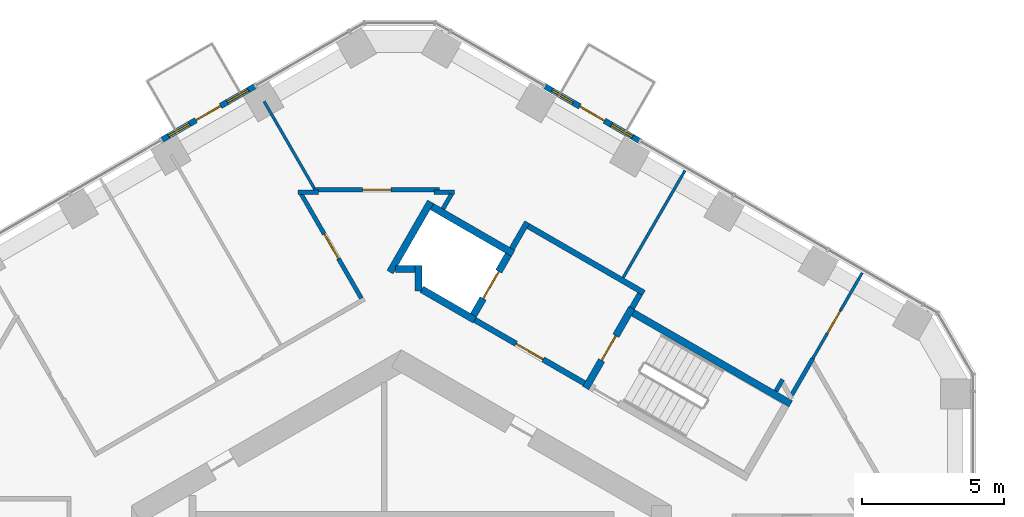
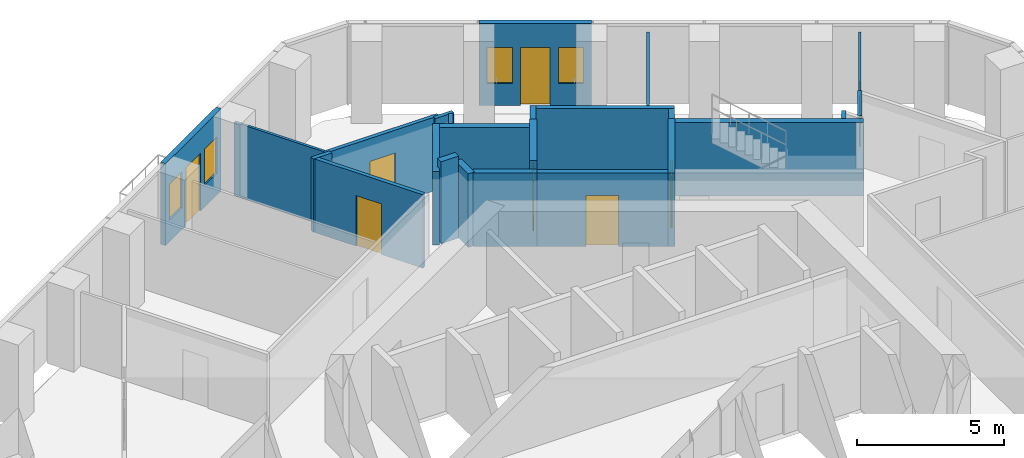
# One storey, part 16 of 20: 24 walls, 8 doors, 4 windows, 12 openings.
"""IFC4 building model written with IfcOpenShell, lengths in metres."""

from ifc_helpers import new_model, si_unit, direction, frame, frame_2d, origin, place, context, subcontext, project, spatial, rectangle, extrude, material, layer, layer_set, type_object, element, fill, save


model = new_model("IFC4")

# Units and contexts
model_context = context("Model", 3, precision=1e-05, world=origin(), true_north=direction((0.0, 1.0)))
body_context = subcontext(model_context, "Body", "Model", "MODEL_VIEW")
ifc_project = project(units=[si_unit("LENGTHUNIT", "METRE"), si_unit("AREAUNIT", "SQUARE_METRE"), si_unit("VOLUMEUNIT", "CUBIC_METRE"), si_unit("PLANEANGLEUNIT", "RADIAN"), si_unit("MASSUNIT", "GRAM", prefix="KILO")], contexts=[model_context])

# Site, building, storey
site_placement = place(None, origin())
site = spatial("IfcSite", under=ifc_project, at=site_placement, CompositionType="ELEMENT")
building_placement = place(site_placement, origin())
building = spatial("IfcBuilding", under=site, at=building_placement, Name="Ayvan Gate Tower", CompositionType="ELEMENT")
storey_placement = place(building_placement, frame((0.0, 0.0, 86.5)))
storey = spatial("IfcBuildingStorey", under=building, at=storey_placement, Name="L22", CompositionType="ELEMENT", Elevation=86.5)

# Wall, openings, door, windows
ifc_material_1 = material(Name="Insulated metal panel wall")
ifc_layer_1 = layer(ifc_material_1, 0.199951171875)
ifc_layer_set_1 = layer_set([ifc_layer_1], Name="Insulated metal panel wall")
wall_type_1 = type_object("IfcWallType", Name="Balcony door wall 200", PredefinedType="SOLIDWALL", material=ifc_layer_set_1)
wall_1_placement = place(storey_placement, frame((-5.163330078125, 20.24072265625, 0.0), z_axis=(0.0, 0.0, 1.0), x_axis=(-0.866020414047, -0.500008642379, 0.0)))
wall_1 = element("IfcWall", 1, at=wall_1_placement, inside=storey, type_object=wall_type_1, Name="EW:L22:2:1", PredefinedType="SOLIDWALL", context=body_context, shape_type="SweptSolid", body=[
    extrude(rectangle(XDim=3.76611328125, YDim=0.199951171875, at=frame_2d((1.883056640625, 0.0))), origin(), (0.0, 0.0, 1.0), 3.39990234375),
])
opening_1_placement = place(wall_1_placement, frame((1.383056640625, 0.0, 0.0)))
opening_1 = element("IfcOpeningElement", 2, at=opening_1_placement, cuts=wall_1, Name="Opening L22-D92", PredefinedType="OPENING", context=body_context, shape_type="SweptSolid", body=[
    extrude(rectangle(XDim=1.0, YDim=2.39990234375, at=frame_2d((0.5, 1.199951171875))), frame((0.0, 0.10986328125, 0.0), z_axis=(0.0, -1.0, 0.0), x_axis=(1.0, 0.0, 0.0)), (0.0, 0.0, 1.0), 0.219970703125),
])
opening_2_placement = place(wall_1_placement, frame((0.2666015625, 0.0, 0.89990234375)))
opening_2 = element("IfcOpeningElement", 3, at=opening_2_placement, cuts=wall_1, Name="Opening W-B2", PredefinedType="OPENING", context=body_context, shape_type="SweptSolid", body=[
    extrude(rectangle(XDim=0.85009765625, YDim=1.5, at=frame_2d((0.425048828125, 0.75))), frame((0.0, 0.10986328125, 0.0), z_axis=(0.0, -1.0, 0.0), x_axis=(1.0, 0.0, 0.0)), (0.0, 0.0, 1.0), 0.219970703125),
])
opening_3_placement = place(wall_1_placement, frame((2.6494140625, 0.0, 0.89990234375)))
opening_3 = element("IfcOpeningElement", 4, at=opening_3_placement, cuts=wall_1, Name="Opening W-B2", PredefinedType="OPENING", context=body_context, shape_type="SweptSolid", body=[
    extrude(rectangle(XDim=0.85009765625, YDim=1.5, at=frame_2d((0.425048828125, 0.75))), frame((0.0, 0.10986328125, 0.0), z_axis=(0.0, -1.0, 0.0), x_axis=(1.0, 0.0, 0.0)), (0.0, 0.0, 1.0), 0.219970703125),
])
ifc_material_2 = material(Name="Bronze anodised aluminium and clear glass", Category="aluminium")
door_type_1 = type_object("IfcDoorType", Name="Balcony door D-B", OperationType="SINGLE_SWING_RIGHT", PredefinedType="DOOR", material=ifc_material_2)
door_1_placement = place(opening_1_placement, origin())
door_1 = element("IfcDoor", 5, at=door_1_placement, inside=storey, type_object=door_type_1, Name="Balcony door BAL-L22-2", OperationType="SINGLE_SWING_RIGHT", OverallHeight=2.39990234375, OverallWidth=1.0, PredefinedType="DOOR", context=body_context, shape_type="SweptSolid", body=[
    extrude(rectangle(XDim=1.0, YDim=2.39990234375, at=frame_2d((0.5, 1.199951171875))), frame((0.0, 0.02490234375, 0.0), z_axis=(0.0, -1.0, 0.0), x_axis=(1.0, 0.0, 0.0)), (0.0, 0.0, 1.0), 0.050048828125),
])
fill(opening_1, door_1)
window_type = type_object("IfcWindowType", Name="Balcony side light W-B Z2", PartitioningType="SINGLE_PANEL", PredefinedType="WINDOW", material=ifc_material_2)
window_1_placement = place(opening_2_placement, origin())
window_1 = element("IfcWindow", 6, at=window_1_placement, inside=storey, type_object=window_type, Name="Balcony side light BAL-L22-2.1", OverallHeight=1.5, OverallWidth=0.85009765625, PartitioningType="SINGLE_PANEL", PredefinedType="WINDOW", context=body_context, shape_type="SweptSolid", body=[
    extrude(rectangle(XDim=0.85009765625, YDim=1.5, at=frame_2d((0.425048828125, 0.75))), frame((0.0, 0.030029296875, 0.0), z_axis=(0.0, -1.0, 0.0), x_axis=(1.0, 0.0, 0.0)), (0.0, 0.0, 1.0), 0.06005859375),
])
fill(opening_2, window_1)
window_2_placement = place(opening_3_placement, origin())
window_2 = element("IfcWindow", 7, at=window_2_placement, inside=storey, type_object=window_type, Name="Balcony side light BAL-L22-2.2", OverallHeight=1.5, OverallWidth=0.85009765625, PartitioningType="SINGLE_PANEL", PredefinedType="WINDOW", context=body_context, shape_type="SweptSolid", body=[
    extrude(rectangle(XDim=0.85009765625, YDim=1.5, at=frame_2d((0.425048828125, 0.75))), frame((0.0, 0.030029296875, 0.0), z_axis=(0.0, -1.0, 0.0), x_axis=(1.0, 0.0, 0.0)), (0.0, 0.0, 1.0), 0.06005859375),
])
fill(opening_3, window_2)

wall_2_placement = place(storey_placement, frame((8.368408203125, 18.321533203125, 0.0), z_axis=(0.0, 0.0, 1.0), x_axis=(-0.866020966001, 0.500007686387, 0.0)))
wall_2 = element("IfcWall", 8, at=wall_2_placement, inside=storey, type_object=wall_type_1, Name="EW:L22:1:3", PredefinedType="SOLIDWALL", context=body_context, shape_type="SweptSolid", body=[
    extrude(rectangle(XDim=3.828125, YDim=0.199951171875, at=frame_2d((1.9140625, 0.0))), origin(), (0.0, 0.0, 1.0), 3.39990234375),
])
opening_4_placement = place(wall_2_placement, frame((1.4140625, 0.0, 0.0)))
opening_4 = element("IfcOpeningElement", 9, at=opening_4_placement, cuts=wall_2, Name="Opening L22-D91", PredefinedType="OPENING", context=body_context, shape_type="SweptSolid", body=[
    extrude(rectangle(XDim=1.0, YDim=2.39990234375, at=frame_2d((0.5, 1.199951171875))), frame((0.0, 0.10986328125, 0.0), z_axis=(0.0, -1.0, 0.0), x_axis=(1.0, 0.0, 0.0)), (0.0, 0.0, 1.0), 0.219970703125),
])
opening_5_placement = place(wall_2_placement, frame((0.281982421875, 0.0, 0.89990234375)))
opening_5 = element("IfcOpeningElement", 10, at=opening_5_placement, cuts=wall_2, Name="Opening W-B2", PredefinedType="OPENING", context=body_context, shape_type="SweptSolid", body=[
    extrude(rectangle(XDim=0.85009765625, YDim=1.5, at=frame_2d((0.425048828125, 0.75))), frame((0.0, 0.10986328125, 0.0), z_axis=(0.0, -1.0, 0.0), x_axis=(1.0, 0.0, 0.0)), (0.0, 0.0, 1.0), 0.219970703125),
])
opening_6_placement = place(wall_2_placement, frame((2.696044921875, 0.0, 0.89990234375)))
opening_6 = element("IfcOpeningElement", 11, at=opening_6_placement, cuts=wall_2, Name="Opening W-B2", PredefinedType="OPENING", context=body_context, shape_type="SweptSolid", body=[
    extrude(rectangle(XDim=0.85009765625, YDim=1.5, at=frame_2d((0.425048828125, 0.75))), frame((0.0, 0.10986328125, 0.0), z_axis=(0.0, -1.0, 0.0), x_axis=(1.0, 0.0, 0.0)), (0.0, 0.0, 1.0), 0.219970703125),
])
door_2_placement = place(opening_4_placement, origin())
door_2 = element("IfcDoor", 12, at=door_2_placement, inside=storey, type_object=door_type_1, Name="Balcony door BAL-L22-1", OperationType="SINGLE_SWING_RIGHT", OverallHeight=2.39990234375, OverallWidth=1.0, PredefinedType="DOOR", context=body_context, shape_type="SweptSolid", body=[
    extrude(rectangle(XDim=1.0, YDim=2.39990234375, at=frame_2d((0.5, 1.199951171875))), frame((0.0, 0.02490234375, 0.0), z_axis=(0.0, -1.0, 0.0), x_axis=(1.0, 0.0, 0.0)), (0.0, 0.0, 1.0), 0.050048828125),
])
fill(opening_4, door_2)
window_3_placement = place(opening_5_placement, origin())
window_3 = element("IfcWindow", 13, at=window_3_placement, inside=storey, type_object=window_type, Name="Balcony side light BAL-L22-1.1", OverallHeight=1.5, OverallWidth=0.85009765625, PartitioningType="SINGLE_PANEL", PredefinedType="WINDOW", context=body_context, shape_type="SweptSolid", body=[
    extrude(rectangle(XDim=0.85009765625, YDim=1.5, at=frame_2d((0.425048828125, 0.75))), frame((0.0, 0.030029296875, 0.0), z_axis=(0.0, -1.0, 0.0), x_axis=(1.0, 0.0, 0.0)), (0.0, 0.0, 1.0), 0.06005859375),
])
fill(opening_5, window_3)
window_4_placement = place(opening_6_placement, origin())
window_4 = element("IfcWindow", 14, at=window_4_placement, inside=storey, type_object=window_type, Name="Balcony side light BAL-L22-1.2", OverallHeight=1.5, OverallWidth=0.85009765625, PartitioningType="SINGLE_PANEL", PredefinedType="WINDOW", context=body_context, shape_type="SweptSolid", body=[
    extrude(rectangle(XDim=0.85009765625, YDim=1.5, at=frame_2d((0.425048828125, 0.75))), frame((0.0, 0.030029296875, 0.0), z_axis=(0.0, -1.0, 0.0), x_axis=(1.0, 0.0, 0.0)), (0.0, 0.0, 1.0), 0.06005859375),
])
fill(opening_6, window_4)

# Wall
ifc_material_3 = material(Name="Plasterboard on steel stud", Category="steel")
ifc_layer_2 = layer(ifc_material_3, 0.14990234375)
ifc_layer_set_2 = layer_set([ifc_layer_2], Name="Plasterboard on steel stud")
wall_type_2 = type_object("IfcWallType", Name="WT-CORR-150", PredefinedType="PARTITIONING", material=ifc_layer_set_2)
wall_3_placement = place(storey_placement, frame((-3.63818359375, 16.510986328125, 0.0), z_axis=(0.0, 0.0, 1.0), x_axis=(1.0, 0.0, 0.0)))
element("IfcWall", 15, at=wall_3_placement, inside=storey, type_object=wall_type_2, Name="IW-L22-040", PredefinedType="PARTITIONING", context=body_context, shape_type="SweptSolid", body=[
    extrude(rectangle(XDim=0.727294921875, YDim=0.14990234375, at=frame_2d((0.36376953125, 0.0))), origin(), (0.0, 0.0, 1.0), 3.050048828125),
])

# Wall, opening, door
wall_4_placement = place(storey_placement, frame((-3.11328125, 16.6015625, 0.0), z_axis=(0.0, 0.0, 1.0), x_axis=(1.0, 0.0, 0.0)))
wall_4 = element("IfcWall", 16, at=wall_4_placement, inside=storey, type_object=wall_type_2, Name="IW-L22-043", PredefinedType="PARTITIONING", context=body_context, shape_type="SweptSolid", body=[
    extrude(rectangle(XDim=4.45947265625, YDim=0.14990234375, at=frame_2d((2.229736328125, 0.0))), origin(), (0.0, 0.0, 1.0), 3.050048828125),
])
opening_7_placement = place(wall_4_placement, frame((1.7470703125, 0.0, 0.0)))
opening_7 = element("IfcOpeningElement", 17, at=opening_7_placement, cuts=wall_4, Name="Opening L22-D22", PredefinedType="OPENING", context=body_context, shape_type="SweptSolid", body=[
    extrude(rectangle(XDim=1.0, YDim=2.10009765625, at=frame_2d((0.5, 1.050048828125))), frame((0.0, 0.0849609375, 0.0), z_axis=(0.0, -1.0, 0.0), x_axis=(1.0, 0.0, 0.0)), (0.0, 0.0, 1.0), 0.169921875),
])
ifc_material_4 = material(Name="Timber door leaf", Category="wood")
door_type_2 = type_object("IfcDoorType", Name="DT-1000", OperationType="NOTDEFINED", PredefinedType="DOOR", material=ifc_material_4)
door_3_placement = place(opening_7_placement, origin())
door_3 = element("IfcDoor", 18, at=door_3_placement, inside=storey, type_object=door_type_2, Name="ID-L22-022", OperationType="SINGLE_SWING_RIGHT", OverallHeight=2.10009765625, OverallWidth=1.0, PredefinedType="DOOR", context=body_context, shape_type="SweptSolid", body=[
    extrude(rectangle(XDim=1.0, YDim=2.10009765625, at=frame_2d((0.5, 1.050048828125))), frame((0.0, 0.02490234375, 0.0), z_axis=(0.0, -1.0, 0.0), x_axis=(1.0, 0.0, 0.0)), (0.0, 0.0, 1.0), 0.050048828125),
])
fill(opening_7, door_3)

wall_5_placement = place(storey_placement, frame((-1.410400390625, 12.7822265625, 0.0), z_axis=(0.0, 0.0, 1.0), x_axis=(-0.499987210724, 0.86603278755, 0.0)))
wall_5 = element("IfcWall", 19, at=wall_5_placement, inside=storey, type_object=wall_type_2, Name="IW-L22-049", PredefinedType="PARTITIONING", context=body_context, shape_type="SweptSolid", body=[
    extrude(rectangle(XDim=4.23046875, YDim=0.14990234375, at=frame_2d((2.115234375, 0.0))), origin(), (0.0, 0.0, 1.0), 3.050048828125),
])
opening_8_placement = place(wall_5_placement, frame((1.615234375, 0.0, 0.0)))
opening_8 = element("IfcOpeningElement", 20, at=opening_8_placement, cuts=wall_5, Name="Opening L22-D34", PredefinedType="OPENING", context=body_context, shape_type="SweptSolid", body=[
    extrude(rectangle(XDim=1.0, YDim=2.10009765625, at=frame_2d((0.5, 1.050048828125))), frame((0.0, 0.0849609375, 0.0), z_axis=(0.0, -1.0, 0.0), x_axis=(1.0, 0.0, 0.0)), (0.0, 0.0, 1.0), 0.169921875),
])
door_4_placement = place(opening_8_placement, origin())
door_4 = element("IfcDoor", 21, at=door_4_placement, inside=storey, type_object=door_type_2, Name="ID-L22-034", OperationType="SINGLE_SWING_RIGHT", OverallHeight=2.10009765625, OverallWidth=1.0, PredefinedType="DOOR", context=body_context, shape_type="SweptSolid", body=[
    extrude(rectangle(XDim=1.0, YDim=2.10009765625, at=frame_2d((0.5, 1.050048828125))), frame((0.0, 0.02490234375, 0.0), z_axis=(0.0, -1.0, 0.0), x_axis=(1.0, 0.0, 0.0)), (0.0, 0.0, 1.0), 0.050048828125),
])
fill(opening_8, door_4)

# Walls
wall_6_placement = place(storey_placement, frame((1.143798828125, 16.510986328125, 0.0), z_axis=(0.0, 0.0, 1.0), x_axis=(1.0, 0.0, 0.0)))
element("IfcWall", 22, at=wall_6_placement, inside=storey, type_object=wall_type_2, Name="IW-L22-062", PredefinedType="PARTITIONING", context=body_context, shape_type="SweptSolid", body=[
    extrude(rectangle(XDim=0.727294921875, YDim=0.14990234375, at=frame_2d((0.36376953125, 0.0))), origin(), (0.0, 0.0, 1.0), 3.050048828125),
])
wall_7_placement = place(storey_placement, frame((1.758544921875, 16.446044921875, 0.0), z_axis=(0.0, 0.0, 1.0), x_axis=(-0.499746055734, -0.86617196894, 0.0)))
element("IfcWall", 23, at=wall_7_placement, inside=storey, type_object=wall_type_2, Name="IW-L22-065", PredefinedType="PARTITIONING", context=body_context, shape_type="SweptSolid", body=[
    extrude(rectangle(XDim=0.596923828125, YDim=0.14990234375, at=frame_2d((0.29833984375, 0.0))), origin(), (0.0, 0.0, 1.0), 3.050048828125),
])
wall_8_placement = place(storey_placement, frame((13.171630859375, 9.513916015625, 0.0), z_axis=(0.0, 0.0, 1.0), x_axis=(0.500003887042, 0.866023159588, 0.0)))
element("IfcWall", 24, at=wall_8_placement, inside=storey, type_object=wall_type_2, Name="IW-L22-099", PredefinedType="PARTITIONING", context=body_context, shape_type="SweptSolid", body=[
    extrude(rectangle(XDim=0.4755859375, YDim=0.14990234375, at=frame_2d((0.23779296875, 0.0))), origin(), (0.0, 0.0, 1.0), 3.050048828125),
])
wall_9_placement = place(storey_placement, frame((13.72705078125, 9.3759765625, 0.0), z_axis=(0.0, 0.0, 1.0), x_axis=(0.500015540671, 0.866016431188, 0.0)))
element("IfcWall", 25, at=wall_9_placement, inside=storey, type_object=wall_type_2, Name="IW-L22-102", PredefinedType="PARTITIONING", context=body_context, shape_type="SweptSolid", body=[
    extrude(rectangle(XDim=1.490234375, YDim=0.14990234375, at=frame_2d((0.7451171875, 0.0))), origin(), (0.0, 0.0, 1.0), 3.050048828125),
])
ifc_layer_3 = layer(ifc_material_3, 0.10009765625)
ifc_layer_set_3 = layer_set([ifc_layer_3], Name="Plasterboard on steel stud")
wall_type_3 = type_object("IfcWallType", Name="WT-PART-100", PredefinedType="PARTITIONING", material=ifc_layer_set_3)
wall_10_placement = place(storey_placement, frame((-3.07568359375, 16.66650390625, 0.0), z_axis=(0.0, 0.0, 1.0), x_axis=(-0.500017137554, 0.866015509187, 0.0)))
element("IfcWall", 26, at=wall_10_placement, inside=storey, type_object=wall_type_3, Name="IW-L22-042", PredefinedType="PARTITIONING", context=body_context, shape_type="SweptSolid", body=[
    extrude(rectangle(XDim=3.51416015625, YDim=0.10009765625, at=frame_2d((1.757080078125, 0.0))), origin(), (0.0, 0.0, 1.0), 3.050048828125),
])
wall_11_placement = place(storey_placement, frame((7.800048828125, 13.510009765625, 0.0), z_axis=(0.0, 0.0, 1.0), x_axis=(0.499986584829, 0.866033148899, 0.0)))
element("IfcWall", 27, at=wall_11_placement, inside=storey, type_object=wall_type_3, Name="IW-L22-087", PredefinedType="PARTITIONING", context=body_context, shape_type="SweptSolid", body=[
    extrude(rectangle(XDim=4.34716796875, YDim=0.10009765625, at=frame_2d((2.173583984375, 0.0))), origin(), (0.0, 0.0, 1.0), 3.050048828125),
])

# Wall, opening, door
wall_12_placement = place(storey_placement, frame((14.47216796875, 10.66650390625, 0.0), z_axis=(0.0, 0.0, 1.0), x_axis=(0.499994200737, 0.866028751965, 0.0)))
wall_12 = element("IfcWall", 28, at=wall_12_placement, inside=storey, type_object=wall_type_3, Name="IW-L22-103", PredefinedType="PARTITIONING", context=body_context, shape_type="SweptSolid", body=[
    extrude(rectangle(XDim=3.4736328125, YDim=0.10009765625, at=frame_2d((1.73681640625, 0.0))), origin(), (0.0, 0.0, 1.0), 3.050048828125),
])
opening_9_placement = place(wall_12_placement, frame((1.0263671875, 0.0, 0.0)))
opening_9 = element("IfcOpeningElement", 29, at=opening_9_placement, cuts=wall_12, Name="Opening L22-D21", PredefinedType="OPENING", context=body_context, shape_type="SweptSolid", body=[
    extrude(rectangle(XDim=0.89990234375, YDim=2.10009765625, at=frame_2d((0.449951171875, 1.050048828125))), frame((0.0, 0.06005859375, 0.0), z_axis=(0.0, -1.0, 0.0), x_axis=(1.0, 0.0, 0.0)), (0.0, 0.0, 1.0), 0.1201171875),
])
door_type_3 = type_object("IfcDoorType", Name="DT-900", OperationType="NOTDEFINED", PredefinedType="DOOR", material=ifc_material_4)
door_5_placement = place(opening_9_placement, origin())
door_5 = element("IfcDoor", 30, at=door_5_placement, inside=storey, type_object=door_type_3, Name="ID-L22-021", OperationType="SINGLE_SWING_LEFT", OverallHeight=2.10009765625, OverallWidth=0.89990234375, PredefinedType="DOOR", context=body_context, shape_type="SweptSolid", body=[
    extrude(rectangle(XDim=0.89990234375, YDim=2.10009765625, at=frame_2d((0.449951171875, 1.050048828125))), frame((0.0, 0.02490234375, 0.0), z_axis=(0.0, -1.0, 0.0), x_axis=(1.0, 0.0, 0.0)), (0.0, 0.0, 1.0), 0.050048828125),
])
fill(opening_9, door_5)

# Walls
ifc_layer_4 = layer(ifc_material_3, 0.199951171875)
ifc_layer_set_4 = layer_set([ifc_layer_4], Name="Plasterboard on steel stud")
wall_type_4 = type_object("IfcWallType", Name="WT-RATED-200", PredefinedType="PARTITIONING", material=ifc_layer_set_4)
wall_13_placement = place(storey_placement, frame((3.885009765625, 14.52880859375, 0.0), z_axis=(0.0, 0.0, 1.0), x_axis=(0.499997628298, 0.866026773083, 0.0)))
element("IfcWall", 31, at=wall_13_placement, inside=storey, type_object=wall_type_4, Name="IW-L22-074", PredefinedType="PARTITIONING", context=body_context, shape_type="SweptSolid", body=[
    extrude(rectangle(XDim=1.0751953125, YDim=0.199951171875, at=frame_2d((0.53759765625, 0.0))), origin(), (0.0, 0.0, 1.0), 3.050048828125),
])
wall_14_placement = place(storey_placement, frame((4.458984375, 15.323486328125, 0.0), z_axis=(0.0, 0.0, 1.0), x_axis=(0.866016039709, -0.500016218704, 0.0)))
element("IfcWall", 32, at=wall_14_placement, inside=storey, type_object=wall_type_4, Name="IW-L22-075", PredefinedType="PARTITIONING", context=body_context, shape_type="SweptSolid", body=[
    extrude(rectangle(XDim=4.699951171875, YDim=0.199951171875, at=frame_2d((2.35009765625, 0.0))), origin(), (0.0, 0.0, 1.0), 3.050048828125),
])

# Wall, opening, door
wall_15_placement = place(storey_placement, frame((6.4345703125, 9.794921875, 0.0), z_axis=(0.0, 0.0, 1.0), x_axis=(-0.866012907634, 0.500021643343, 0.0)))
wall_15 = element("IfcWall", 33, at=wall_15_placement, inside=storey, type_object=wall_type_4, Name="IW-L22-078", PredefinedType="PARTITIONING", context=body_context, shape_type="SweptSolid", body=[
    extrude(rectangle(XDim=4.449951171875, YDim=0.199951171875, at=frame_2d((2.22509765625, 0.0))), origin(), (0.0, 0.0, 1.0), 3.050048828125),
])
opening_10_placement = place(wall_15_placement, frame((1.675048828125, 0.0, 0.0)))
opening_10 = element("IfcOpeningElement", 34, at=opening_10_placement, cuts=wall_15, Name="Opening L22-D08", PredefinedType="OPENING", context=body_context, shape_type="SweptSolid", body=[
    extrude(rectangle(XDim=1.10009765625, YDim=2.10009765625, at=frame_2d((0.550048828125, 1.050048828125))), frame((0.0, 0.10986328125, 0.0), z_axis=(0.0, -1.0, 0.0), x_axis=(1.0, 0.0, 0.0)), (0.0, 0.0, 1.0), 0.219970703125),
])
door_type_4 = type_object("IfcDoorType", Name="DT-1100", OperationType="NOTDEFINED", PredefinedType="DOOR", material=ifc_material_4)
door_6_placement = place(opening_10_placement, origin())
door_6 = element("IfcDoor", 35, at=door_6_placement, inside=storey, type_object=door_type_4, Name="ID-L22-008", OperationType="SINGLE_SWING_RIGHT", OverallHeight=2.10009765625, OverallWidth=1.10009765625, PredefinedType="DOOR", context=body_context, shape_type="SweptSolid", body=[
    extrude(rectangle(XDim=1.10009765625, YDim=2.10009765625, at=frame_2d((0.550048828125, 1.050048828125))), frame((0.0, 0.02490234375, 0.0), z_axis=(0.0, -1.0, 0.0), x_axis=(1.0, 0.0, 0.0)), (0.0, 0.0, 1.0), 0.050048828125),
])
fill(opening_10, door_6)

# Walls
wall_16_placement = place(storey_placement, frame((8.392822265625, 12.936767578125, 0.0), z_axis=(0.0, 0.0, 1.0), x_axis=(-0.500065409566, -0.86598763626, 0.0)))
element("IfcWall", 36, at=wall_16_placement, inside=storey, type_object=wall_type_4, Name="IW-L22-089", PredefinedType="PARTITIONING", context=body_context, shape_type="SweptSolid", body=[
    extrude(rectangle(XDim=0.5751953125, YDim=0.199951171875, at=frame_2d((0.28759765625, 0.0))), origin(), (0.0, 0.0, 1.0), 3.050048828125),
])
ifc_material_5 = material(Name="Concrete C50/60", Category="concrete")
ifc_layer_5 = layer(ifc_material_5, 0.25)
ifc_layer_set_5 = layer_set([ifc_layer_5], Name="Concrete C50/60")
wall_type_5 = type_object("IfcWallType", Name="WT-RC-250", PredefinedType="SHEAR", material=ifc_layer_set_5)
wall_17_placement = place(storey_placement, frame((-0.403076171875, 13.70166015625, 0.0), z_axis=(0.0, 0.0, 1.0), x_axis=(0.499976111731, 0.866039195244, 0.0)))
element("IfcWall", 37, at=wall_17_placement, inside=storey, type_object=wall_type_5, Name="IW-L22-055", PredefinedType="SHEAR", context=body_context, shape_type="SweptSolid", body=[
    extrude(rectangle(XDim=2.860595703125, YDim=0.25, at=frame_2d((1.43017578125, 0.0))), origin(), (0.0, 0.0, 1.0), 3.050048828125),
])
wall_18_placement = place(storey_placement, frame((0.60009765625, 13.03857421875, 0.0), z_axis=(0.0, 0.0, 1.0), x_axis=(0.0, 1.0, 0.0)))
element("IfcWall", 38, at=wall_18_placement, inside=storey, type_object=wall_type_5, Name="IW-L22-058", PredefinedType="SHEAR", context=body_context, shape_type="SweptSolid", body=[
    extrude(rectangle(XDim=0.896484375, YDim=0.25, at=frame_2d((0.4482421875, 0.0))), origin(), (0.0, 0.0, 1.0), 3.050048828125),
])
wall_19_placement = place(storey_placement, frame((0.47509765625, 13.81005859375, 0.0), z_axis=(0.0, 0.0, 1.0), x_axis=(-1.0, 0.0, 0.0)))
element("IfcWall", 39, at=wall_19_placement, inside=storey, type_object=wall_type_5, Name="IW-L22-059", PredefinedType="SHEAR", context=body_context, shape_type="SweptSolid", body=[
    extrude(rectangle(XDim=0.690673828125, YDim=0.25, at=frame_2d((0.34521484375, 0.0))), origin(), (0.0, 0.0, 1.0), 3.39990234375),
])
wall_20_placement = place(storey_placement, frame((1.072998046875, 16.00830078125, 0.0), z_axis=(0.0, 0.0, 1.0), x_axis=(0.866040211805, -0.499974350878, 0.0)))
element("IfcWall", 40, at=wall_20_placement, inside=storey, type_object=wall_type_5, Name="IW-L22-060", PredefinedType="SHEAR", context=body_context, shape_type="SweptSolid", body=[
    extrude(rectangle(XDim=3.300048828125, YDim=0.25, at=frame_2d((1.64990234375, 0.0))), origin(), (0.0, 0.0, 1.0), 3.050048828125),
])
wall_21_placement = place(storey_placement, frame((2.580810546875, 12.02001953125, 0.0), z_axis=(0.0, 0.0, 1.0), x_axis=(-0.86603892542, 0.499976579108, 0.0)))
element("IfcWall", 41, at=wall_21_placement, inside=storey, type_object=wall_type_5, Name="IW-L22-068", PredefinedType="SHEAR", context=body_context, shape_type="SweptSolid", body=[
    extrude(rectangle(XDim=2.162109375, YDim=0.25, at=frame_2d((1.0810546875, 0.0))), origin(), (0.0, 0.0, 1.0), 3.050048828125),
])

# Wall, opening, door
wall_22_placement = place(storey_placement, frame((2.534912109375, 12.19091796875, 0.0), z_axis=(0.0, 0.0, 1.0), x_axis=(0.500061746146, 0.865989751695, 0.0)))
wall_22 = element("IfcWall", 42, at=wall_22_placement, inside=storey, type_object=wall_type_5, Name="IW-L22-069", PredefinedType="SHEAR", context=body_context, shape_type="SweptSolid", body=[
    extrude(rectangle(XDim=2.449951171875, YDim=0.25, at=frame_2d((1.22509765625, 0.0))), origin(), (0.0, 0.0, 1.0), 3.39990234375),
])
opening_11_placement = place(wall_22_placement, frame((0.675048828125, 0.0, 0.0)))
opening_11 = element("IfcOpeningElement", 43, at=opening_11_placement, cuts=wall_22, Name="Opening L22-LD-FF1", PredefinedType="OPENING", context=body_context, shape_type="SweptSolid", body=[
    extrude(rectangle(XDim=1.10009765625, YDim=2.10009765625, at=frame_2d((0.550048828125, 1.050048828125))), frame((0.0, 0.135009765625, 0.0), z_axis=(0.0, -1.0, 0.0), x_axis=(1.0, 0.0, 0.0)), (0.0, 0.0, 1.0), 0.27001953125),
])
ifc_material_6 = material(Name="Stainless steel landing door", Category="steel")
door_type_5 = type_object("IfcDoorType", Name="DT-LANDING-1100", OperationType="SLIDING_TO_LEFT", PredefinedType="DOOR", material=ifc_material_6)
door_7_placement = place(opening_11_placement, origin())
door_7 = element("IfcDoor", 44, at=door_7_placement, inside=storey, type_object=door_type_5, Name="ID-L22-009", OperationType="SLIDING_TO_LEFT", OverallHeight=2.10009765625, OverallWidth=1.10009765625, PredefinedType="DOOR", context=body_context, shape_type="SweptSolid", body=[
    extrude(rectangle(XDim=1.10009765625, YDim=2.10009765625, at=frame_2d((0.550048828125, 1.050048828125))), frame((0.0, 0.02490234375, 0.0), z_axis=(0.0, -1.0, 0.0), x_axis=(1.0, 0.0, 0.0)), (0.0, 0.0, 1.0), 0.050048828125),
])
fill(opening_11, door_7)

wall_23_placement = place(storey_placement, frame((6.480224609375, 9.624267578125, 0.0), z_axis=(0.0, 0.0, 1.0), x_axis=(0.500017246033, 0.866015446554, 0.0)))
wall_23 = element("IfcWall", 45, at=wall_23_placement, inside=storey, type_object=wall_type_5, Name="IW-L22-079", PredefinedType="SHEAR", context=body_context, shape_type="SweptSolid", body=[
    extrude(rectangle(XDim=3.25, YDim=0.25, at=frame_2d((1.625, 0.0))), origin(), (0.0, 0.0, 1.0), 3.050048828125),
])
opening_12_placement = place(wall_23_placement, frame((1.125, 0.0, 0.0)))
opening_12 = element("IfcOpeningElement", 46, at=opening_12_placement, cuts=wall_23, Name="Opening L22-D07", PredefinedType="OPENING", context=body_context, shape_type="SweptSolid", body=[
    extrude(rectangle(XDim=1.0, YDim=2.10009765625, at=frame_2d((0.5, 1.050048828125))), frame((0.0, 0.135009765625, 0.0), z_axis=(0.0, -1.0, 0.0), x_axis=(1.0, 0.0, 0.0)), (0.0, 0.0, 1.0), 0.27001953125),
])
door_8_placement = place(opening_12_placement, origin())
door_8 = element("IfcDoor", 47, at=door_8_placement, inside=storey, type_object=door_type_2, Name="ID-L22-007", OperationType="SINGLE_SWING_LEFT", OverallHeight=2.10009765625, OverallWidth=1.0, PredefinedType="DOOR", context=body_context, shape_type="SweptSolid", body=[
    extrude(rectangle(XDim=1.0, YDim=2.10009765625, at=frame_2d((0.5, 1.050048828125))), frame((0.0, 0.02490234375, 0.0), z_axis=(0.0, -1.0, 0.0), x_axis=(1.0, 0.0, 0.0)), (0.0, 0.0, 1.0), 0.050048828125),
])
fill(opening_12, door_8)

# Wall
wall_24_placement = place(storey_placement, frame((8.151123046875, 12.26806640625, 0.0), z_axis=(0.0, 0.0, 1.0), x_axis=(0.866025499775, -0.499999833739, 0.0)))
element("IfcWall", 48, at=wall_24_placement, inside=storey, type_object=wall_type_5, Name="IW-L22-088", PredefinedType="SHEAR", context=body_context, shape_type="SweptSolid", body=[
    extrude(rectangle(XDim=6.39990234375, YDim=0.25, at=frame_2d((3.199951171875, 0.0))), origin(), (0.0, 0.0, 1.0), 3.050048828125),
])

save(model, "model.ifc")
